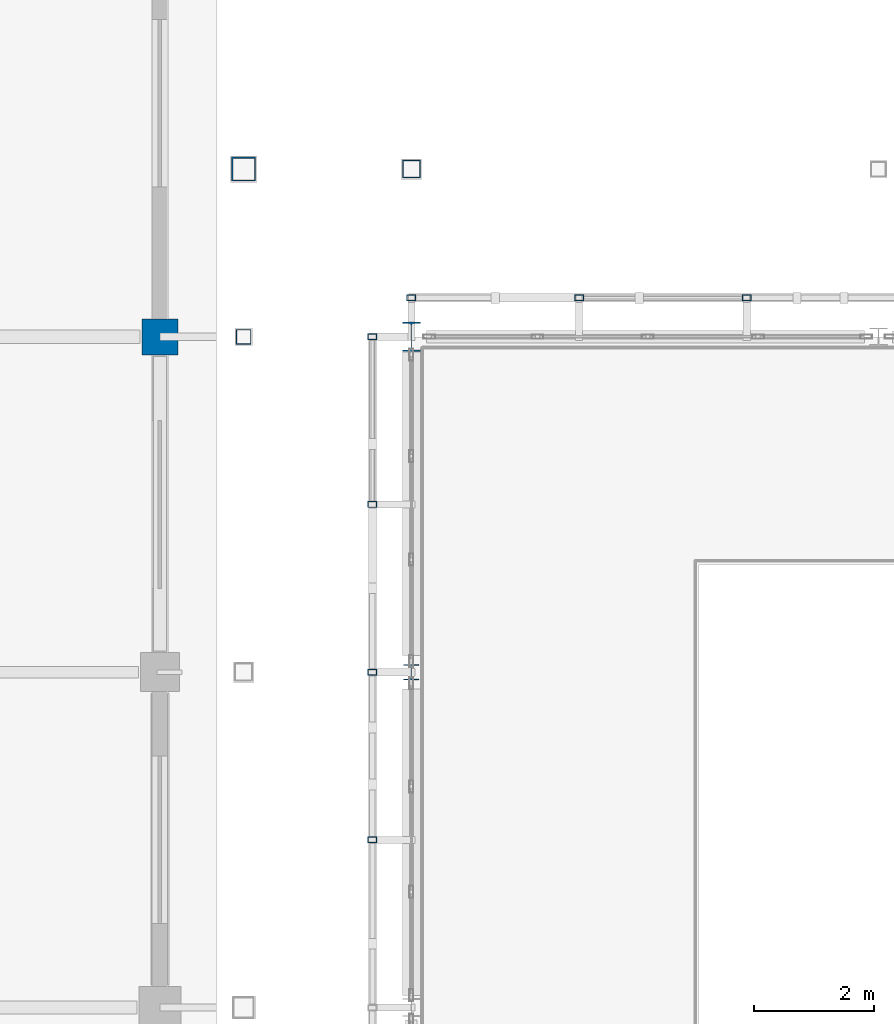
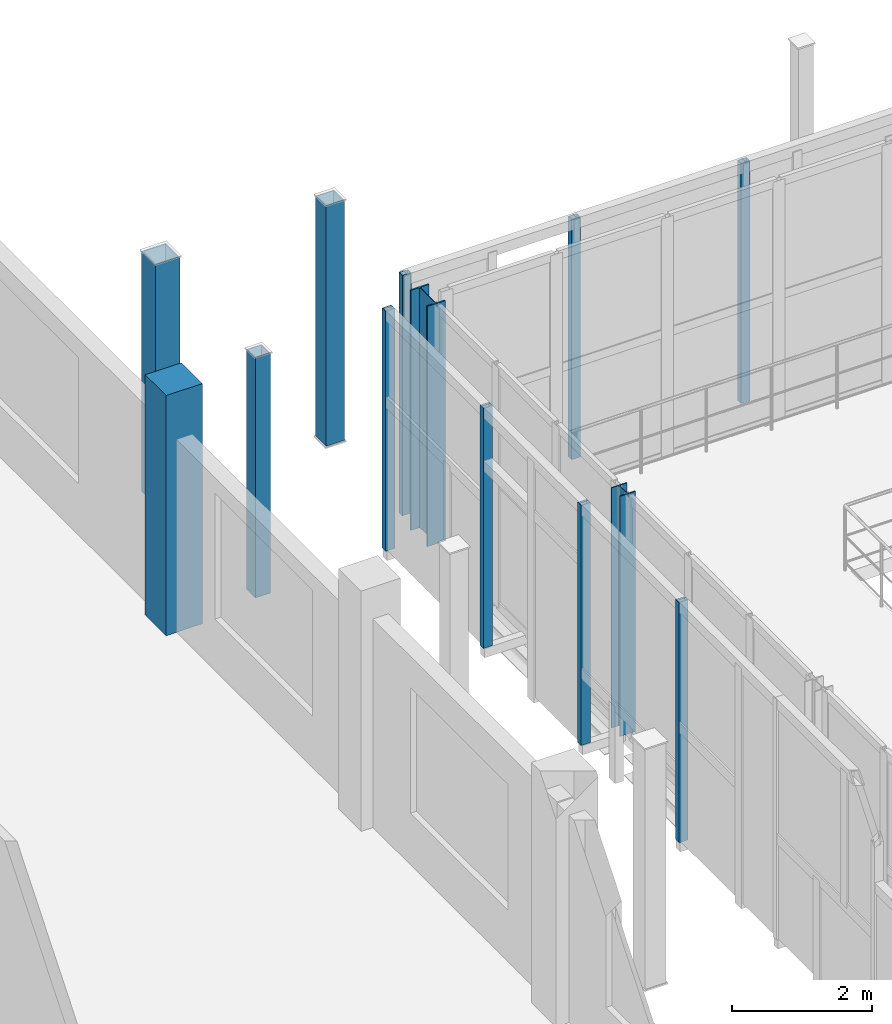
# One storey, part 10 of 121: 13 columns.
"""IFC4 building model written with IfcOpenShell, lengths in metres."""

import ifcopenshell
import ifcopenshell.guid

model = None  # the IFC model being written
_history = None  # IfcOwnerHistory: only IFC2X3 demands one
_inside = {}  # id of a spatial element -> (the spatial element, [elements in it])
_under = {}  # id of a project, library or spatial element -> (it, [spatial elements below it])
_declared = {}  # id of a project -> (the project, [libraries it declares])
_typed = {}  # id of a type object -> (the type object, [elements of that type])
_made_of = {}  # id of a material, layer set ... -> (it, [elements and type objects made of it])


def new_model(schema):
    """Start an empty IFC model of exactly this schema.

    Asked for "IFC4X3", IfcOpenShell would pick the latest addendum, in which some entities
    have other attributes; the version numbers below select the first issue.
    IFC2X3 requires an IfcOwnerHistory on every rooted entity: one is made here for all.
    """
    global model, _history
    if schema == "IFC4X3":
        model = ifcopenshell.file(schema_version=(4, 3, 0, 0))
    else:
        model = ifcopenshell.file(schema=schema)
    _inside.clear()
    _under.clear()
    _declared.clear()
    _typed.clear()
    _made_of.clear()
    _history = None
    if model.schema == "IFC2X3":
        org = make("IfcOrganization", Name="unknown")
        user = make(
            "IfcPersonAndOrganization",
            ThePerson=make("IfcPerson", FamilyName="unknown"),
            TheOrganization=org,
        )
        app = make(
            "IfcApplication",
            ApplicationDeveloper=org,
            Version="unknown",
            ApplicationFullName="unknown",
            ApplicationIdentifier="unknown",
        )
        _history = make(
            "IfcOwnerHistory",
            OwningUser=user,
            OwningApplication=app,
            ChangeAction="ADDED",
            CreationDate=0,
        )
    return model


def make(cls, **values):
    """One entity of the class cls with the attributes given. An attribute that is None is left unset."""
    return model.create_entity(
        cls, **{name: value for name, value in values.items() if value is not None}
    )


def rooted(cls, **values):
    """An entity with a GlobalId (a new one), such as an element, a storey or a relation."""
    return make(cls, GlobalId=ifcopenshell.guid.new(), OwnerHistory=_history, **values)


def si_unit(unit_type, name, prefix=None):
    """IfcSIUnit, for example si_unit("LENGTHUNIT", "METRE", prefix="MILLI")."""
    return make("IfcSIUnit", UnitType=unit_type, Prefix=prefix, Name=name)


def assignment(units):
    """IfcUnitAssignment: the units of a project."""
    return None if units is None else make("IfcUnitAssignment", Units=units)


def point(xyz):
    """IfcCartesianPoint."""
    return None if xyz is None else make("IfcCartesianPoint", Coordinates=xyz)


def direction(xyz):
    """IfcDirection."""
    return None if xyz is None else make("IfcDirection", DirectionRatios=xyz)


def frame(location, z_axis=None, x_axis=None):
    """IfcAxis2Placement3D, a coordinate frame: its origin and axes. An axis left out is left unset."""
    return make(
        "IfcAxis2Placement3D",
        Location=point(location),
        Axis=direction(z_axis),
        RefDirection=direction(x_axis),
    )


def frame_2d(location, x_axis=None):
    """IfcAxis2Placement2D, a coordinate frame in the plane: its origin and x axis."""
    return make(
        "IfcAxis2Placement2D", Location=point(location), RefDirection=direction(x_axis)
    )


def origin():
    """The frame at (0, 0, 0) with its axes left unset."""
    return frame((0.0, 0.0, 0.0))


def origin_2d():
    """The frame at (0, 0) in the plane with its x axis left unset."""
    return frame_2d((0.0, 0.0))


def place(relative_to, where):
    """IfcLocalPlacement: puts the frame where relative to a parent placement (None: the world)."""
    return make(
        "IfcLocalPlacement", PlacementRelTo=relative_to, RelativePlacement=where
    )


def context(
    kind, dimensions, precision=None, world=None, true_north=None, identifier=None
):
    """IfcGeometricRepresentationContext, for example the 3D "Model" context."""
    return make(
        "IfcGeometricRepresentationContext",
        ContextIdentifier=identifier,
        ContextType=kind,
        CoordinateSpaceDimension=dimensions,
        Precision=precision,
        WorldCoordinateSystem=world,
        TrueNorth=true_north,
    )


def subcontext(parent, identifier, kind, view, scale=None):
    """IfcGeometricRepresentationSubContext, for example "Body" below "Model"."""
    return make(
        "IfcGeometricRepresentationSubContext",
        ContextIdentifier=identifier,
        ContextType=kind,
        ParentContext=parent,
        TargetScale=scale,
        TargetView=view,
    )


def project(units=None, contexts=None):
    """IfcProject with its units and contexts."""
    return rooted(
        "IfcProject",
        Name="project",
        RepresentationContexts=contexts,
        UnitsInContext=assignment(units),
    )


def spatial(cls, under=None, at=None, **own):
    """A site, building, storey or space (cls), placed at a placement, below another one or the project."""
    s = rooted(cls, ObjectPlacement=at, **own)
    if under is not None:
        _under.setdefault(under.id(), (under, []))[1].append(s)
    return s


def profile(cls, at=None, kind="AREA", **sizes):
    """A parametric profile (cls). Its sizes go by their IFC names, for example OverallWidth=200.0."""
    return make(cls, ProfileType=kind, Position=at, **sizes)


def rectangle(**sizes):
    """IfcRectangleProfileDef."""
    return profile("IfcRectangleProfileDef", **sizes)


def hollow_rectangle(**sizes):
    """IfcRectangleHollowProfileDef."""
    return profile("IfcRectangleHollowProfileDef", **sizes)


def i_section(**sizes):
    """IfcIShapeProfileDef."""
    return profile("IfcIShapeProfileDef", **sizes)


def extrude(swept, where, along, depth):
    """IfcExtrudedAreaSolid: the profile swept, set in the frame where, extruded along a direction by depth."""
    return make(
        "IfcExtrudedAreaSolid",
        SweptArea=swept,
        Position=where,
        ExtrudedDirection=direction(along),
        Depth=depth,
    )


def shape(context_of_items, identifier, shape_type, items):
    """IfcShapeRepresentation: the items that make up one representation, for example the "Body"."""
    return make(
        "IfcShapeRepresentation",
        ContextOfItems=context_of_items,
        RepresentationIdentifier=identifier,
        RepresentationType=shape_type,
        Items=items,
    )


def material(Name=None, Category=None):
    """IfcMaterial."""
    return make("IfcMaterial", Name=Name, Category=Category)


def material_profile(
    of_material, cross_section, Name=None, Category=None, Priority=None
):
    """IfcMaterialProfile: a cross section and its material."""
    return make(
        "IfcMaterialProfile",
        Name=Name,
        Material=of_material,
        Profile=cross_section,
        Priority=Priority,
        Category=Category,
    )


def profile_set(profiles, Name=None, composite=None):
    """IfcMaterialProfileSet."""
    return make(
        "IfcMaterialProfileSet",
        Name=Name,
        MaterialProfiles=profiles,
        CompositeProfile=composite,
    )


def made_of(thing, what):
    """Note that an element or type object is made of a material, layer set ...; save() writes the relation."""
    if what is not None:
        _made_of.setdefault(what.id(), (what, []))[1].append(thing)
    return thing


def type_object(cls, material=None, **own):
    """A type object (cls), such as IfcWallType, which elements share."""
    return made_of(rooted(cls, **own), material)


def element(
    cls,
    number,
    at=None,
    inside=None,
    cuts=None,
    type_object=None,
    material=None,
    context=None,
    identifier="Body",
    shape_type=None,
    held_by="IfcProductDefinitionShape",
    body=None,
    shapes=None,
    **own,
):
    """One element of the class cls, such as IfcWall. Its Tag is "e" and its number.

    at: its placement. inside: the storey or other place that contains it. cuts: it is an
    opening in that element (IfcRelVoidsElement). A single representation is given by context,
    identifier, shape_type and body (its items); several are given by shapes. held_by: the class
    of the entity that holds the representations. save() writes the other relations.
    """
    e = rooted(cls, Tag="e%d" % number, ObjectPlacement=at, **own)
    if body is not None:
        shapes = [shape(context, identifier, shape_type, body)]
    if shapes is not None:
        e.Representation = make(held_by, Representations=shapes)
    if inside is not None:
        _inside.setdefault(inside.id(), (inside, []))[1].append(e)
    if cuts is not None:
        rooted(
            "IfcRelVoidsElement", RelatingBuildingElement=cuts, RelatedOpeningElement=e
        )
    if type_object is not None:
        _typed.setdefault(type_object.id(), (type_object, []))[1].append(e)
    return made_of(e, material)


def aggregate(whole, parts):
    """IfcRelAggregates: a whole, such as a stair, and the parts it consists of."""
    return rooted("IfcRelAggregates", RelatingObject=whole, RelatedObjects=parts)


def save(model, path):
    """Write the relations noted so far, then the file.

    IfcRelAggregates (storeys below a building ...), IfcRelContainedInSpatialStructure (elements
    in a storey), IfcRelDefinesByType, IfcRelAssociatesMaterial and IfcRelDeclares: one each for
    every whole, place, type object, material and project.
    """
    for whole, parts in _under.values():
        aggregate(whole, parts)
    for where, things in _inside.values():
        rooted(
            "IfcRelContainedInSpatialStructure",
            RelatedElements=things,
            RelatingStructure=where,
        )
    for kind, things in _typed.values():
        rooted("IfcRelDefinesByType", RelatedObjects=things, RelatingType=kind)
    for what, things in _made_of.values():
        rooted("IfcRelAssociatesMaterial", RelatedObjects=things, RelatingMaterial=what)
    for by, libraries in _declared.values():
        rooted("IfcRelDeclares", RelatingContext=by, RelatedDefinitions=libraries)
    model.write(path)


model = new_model("IFC4")

# Units and contexts
model_context = context("Model", 3, precision=1e-05, world=origin(), true_north=direction((0.0, 1.0)))
body_context = subcontext(model_context, "Body", "Model", "MODEL_VIEW")
ifc_project = project(units=[si_unit("LENGTHUNIT", "METRE"), si_unit("AREAUNIT", "SQUARE_METRE"), si_unit("VOLUMEUNIT", "CUBIC_METRE"), si_unit("PLANEANGLEUNIT", "RADIAN"), si_unit("MASSUNIT", "GRAM", prefix="KILO")], contexts=[model_context])

# Site, building, storey
site_placement = place(None, origin())
site = spatial("IfcSite", under=ifc_project, at=site_placement, CompositionType="ELEMENT")
building_placement = place(site_placement, origin())
building = spatial("IfcBuilding", under=site, at=building_placement, Name="Vinh Khe Railworks Police Headquarters", CompositionType="ELEMENT")
storey_placement = place(building_placement, frame((0.0, 0.0, 4.800048828125)))
storey = spatial("IfcBuildingStorey", under=building, at=storey_placement, Name="L01", CompositionType="ELEMENT", Elevation=4.800048828125)

# Columns
ifc_material_1 = material(Name="Steel S355JR", Category="steel")
ifc_material_profile_1 = material_profile(ifc_material_1, hollow_rectangle(XDim=0.14990234375, YDim=0.10009765625, WallThickness=0.008056640625, at=origin_2d()), Name="RHS 150x100x8")
ifc_profile_set_1 = profile_set([ifc_material_profile_1], Name="Steel S355JR")
column_type_1 = type_object("IfcColumnType", Name="COL-QUILT-POST", PredefinedType="COLUMN", material=ifc_profile_set_1)
for number, where, z_axis, x_axis, name in (
    (1, (26.39990234375, 59.449951171875, 0.0), (0.0, 0.0, 1.0), (1.0, 0.0, 0.0), "Patchwork Quilt Carrier Column N-1 (L01)"),
    (2, (29.199951171875, 59.449951171875, 0.0), (0.0, 0.0, 1.0), (1.0, 0.0, 0.0), "Patchwork Quilt Carrier Column N-2 (L01)"),
    (3, (32.0, 59.449951171875, 0.0), (0.0, 0.0, 1.0), (1.0, 0.0, 0.0), "Patchwork Quilt Carrier Column N-3 (L01)"),
    (4, (25.75, 50.39990234375, 0.0), (0.0, 0.0, 1.0), (1.0, 0.0, 0.0), "Patchwork Quilt Carrier Column W-10 (L01)"),
    (5, (25.75, 53.199951171875, 0.0), (0.0, 0.0, 1.0), (1.0, 0.0, 0.0), "Patchwork Quilt Carrier Column W-11 (L01)"),
    (6, (25.75, 56.0, 0.0), (0.0, 0.0, 1.0), (1.0, 0.0, 0.0), "Patchwork Quilt Carrier Column W-12 (L01)"),
    (7, (25.75, 58.800048828125, 0.0), (0.0, 0.0, 1.0), (1.0, 0.0, 0.0), "Patchwork Quilt Carrier Column W-13 (L01)"),
):
    element("IfcColumn", number, at=place(storey_placement, frame(where, z_axis=z_axis, x_axis=x_axis)), inside=storey, type_object=column_type_1, Name=name, PredefinedType="COLUMN", context=body_context, shape_type="SweptSolid", body=[
        extrude(hollow_rectangle(XDim=0.14990234375, YDim=0.10009765625, WallThickness=0.008056640625, at=origin_2d()), origin(), (0.0, 0.0, 1.0), 4.199951171875),
    ])
ifc_material_2 = material(Name="Concrete C40/50 (B40)", Category="concrete")
ifc_material_profile_2 = material_profile(ifc_material_2, rectangle(XDim=0.60009765625, YDim=0.60009765625, at=origin_2d()), Name="RC 600x600")
ifc_profile_set_2 = profile_set([ifc_material_profile_2], Name="Concrete C40/50 (B40)")
column_type_2 = type_object("IfcColumnType", Name="RC Column RC 600x600", PredefinedType="COLUMN", material=ifc_profile_set_2)
column_1_placement = place(storey_placement, frame((22.199951171875, 58.800048828125, 0.0), z_axis=(0.0, 0.0, 1.0), x_axis=(1.0, 0.0, 0.0)))
element("IfcColumn", 8, at=column_1_placement, inside=storey, type_object=column_type_2, Name="Column COL-L01-CC-05-0573", PredefinedType="COLUMN", context=body_context, shape_type="SweptSolid", body=[
    extrude(rectangle(XDim=0.60009765625, YDim=0.60009765625, at=origin_2d()), origin(), (0.0, 0.0, 1.0), 4.199951171875),
])
ifc_material_profile_3 = material_profile(ifc_material_1, i_section(OverallWidth=0.300048828125, OverallDepth=0.489990234375, WebThickness=0.011962890625, FlangeThickness=0.02294921875, FilletRadius=0.027099609375, at=origin_2d()), Name="HEA 500")
ifc_profile_set_3 = profile_set([ifc_material_profile_3], Name="Steel S355JR")
column_type_3 = type_object("IfcColumnType", Name="Steel Column HEA 500", PredefinedType="COLUMN", material=ifc_profile_set_3)
column_2_placement = place(storey_placement, frame((26.39990234375, 58.800048828125, 0.0), z_axis=(0.0, 0.0, 1.0), x_axis=(1.0, 0.0, 0.0)))
element("IfcColumn", 9, at=column_2_placement, inside=storey, type_object=column_type_3, Name="Column COL-L01-SC-13-0754", PredefinedType="COLUMN", context=body_context, shape_type="SweptSolid", body=[
    extrude(i_section(OverallWidth=0.300048828125, OverallDepth=0.489990234375, WebThickness=0.011962890625, FlangeThickness=0.02294921875, FilletRadius=0.027099609375, at=origin_2d()), origin(), (0.0, 0.0, 1.0), 4.199951171875),
])
ifc_material_profile_4 = material_profile(ifc_material_1, i_section(OverallWidth=0.260009765625, OverallDepth=0.260009765625, WebThickness=0.010009765625, FlangeThickness=0.017578125, FilletRadius=0.02392578125, at=origin_2d()), Name="HEB 260")
ifc_profile_set_4 = profile_set([ifc_material_profile_4], Name="Steel S355JR")
column_type_4 = type_object("IfcColumnType", Name="Steel Column HEB 260", PredefinedType="COLUMN", material=ifc_profile_set_4)
column_3_placement = place(storey_placement, frame((26.39990234375, 53.199951171875, 0.0), z_axis=(0.0, 0.0, 1.0), x_axis=(1.0, 0.0, 0.0)))
element("IfcColumn", 10, at=column_3_placement, inside=storey, type_object=column_type_4, Name="Column COL-L01-SC-12-0749", PredefinedType="COLUMN", context=body_context, shape_type="SweptSolid", body=[
    extrude(i_section(OverallWidth=0.260009765625, OverallDepth=0.260009765625, WebThickness=0.010009765625, FlangeThickness=0.017578125, FilletRadius=0.02392578125, at=origin_2d()), origin(), (0.0, 0.0, 1.0), 4.199951171875),
])
ifc_material_profile_5 = material_profile(ifc_material_1, hollow_rectangle(XDim=0.25, YDim=0.25, WallThickness=0.012451171875, at=origin_2d()), Name="SHS 250x250x12.5")
ifc_profile_set_5 = profile_set([ifc_material_profile_5], Name="Steel S355JR")
column_type_5 = type_object("IfcColumnType", Name="Steel Column SHS 250x250x12.5", PredefinedType="COLUMN", material=ifc_profile_set_5)
column_4_placement = place(storey_placement, frame((23.60009765625, 58.800048828125, 0.0), z_axis=(0.0, 0.0, 1.0), x_axis=(1.0, 0.0, 0.0)))
element("IfcColumn", 11, at=column_4_placement, inside=storey, type_object=column_type_5, Name="Column COL-L01-SC-24-0692", PredefinedType="COLUMN", context=body_context, shape_type="SweptSolid", body=[
    extrude(hollow_rectangle(XDim=0.25, YDim=0.25, WallThickness=0.012451171875, at=origin_2d()), origin(), (0.0, 0.0, 1.0), 4.199951171875),
])
ifc_material_profile_6 = material_profile(ifc_material_1, hollow_rectangle(XDim=0.300048828125, YDim=0.300048828125, WallThickness=0.01611328125, at=origin_2d()), Name="SHS 300x300x16")
ifc_profile_set_6 = profile_set([ifc_material_profile_6], Name="Steel S355JR")
column_type_6 = type_object("IfcColumnType", Name="Steel Column SHS 300x300x16", PredefinedType="COLUMN", material=ifc_profile_set_6)
column_5_placement = place(storey_placement, frame((26.39990234375, 61.60009765625, 0.0), z_axis=(0.0, 0.0, 1.0), x_axis=(1.0, 0.0, 0.0)))
element("IfcColumn", 12, at=column_5_placement, inside=storey, type_object=column_type_6, Name="Column COL-L01-SC-23-0759", PredefinedType="COLUMN", context=body_context, shape_type="SweptSolid", body=[
    extrude(hollow_rectangle(XDim=0.300048828125, YDim=0.300048828125, WallThickness=0.01611328125, at=origin_2d()), origin(), (0.0, 0.0, 1.0), 4.199951171875),
])
ifc_material_profile_7 = material_profile(ifc_material_1, hollow_rectangle(XDim=0.39990234375, YDim=0.39990234375, WallThickness=0.02001953125, at=origin_2d()), Name="SHS 400x400x20")
ifc_profile_set_7 = profile_set([ifc_material_profile_7], Name="Steel S355JR")
column_type_7 = type_object("IfcColumnType", Name="Steel Column SHS 400x400x20", PredefinedType="COLUMN", material=ifc_profile_set_7)
column_6_placement = place(storey_placement, frame((23.60009765625, 61.60009765625, 0.0), z_axis=(0.0, 0.0, 1.0), x_axis=(1.0, 0.0, 0.0)))
element("IfcColumn", 13, at=column_6_placement, inside=storey, type_object=column_type_7, Name="Column COL-L01-SC-21-0697", PredefinedType="COLUMN", context=body_context, shape_type="SweptSolid", body=[
    extrude(hollow_rectangle(XDim=0.39990234375, YDim=0.39990234375, WallThickness=0.02001953125, at=origin_2d()), origin(), (0.0, 0.0, 1.0), 4.199951171875),
])

save(model, "model.ifc")
